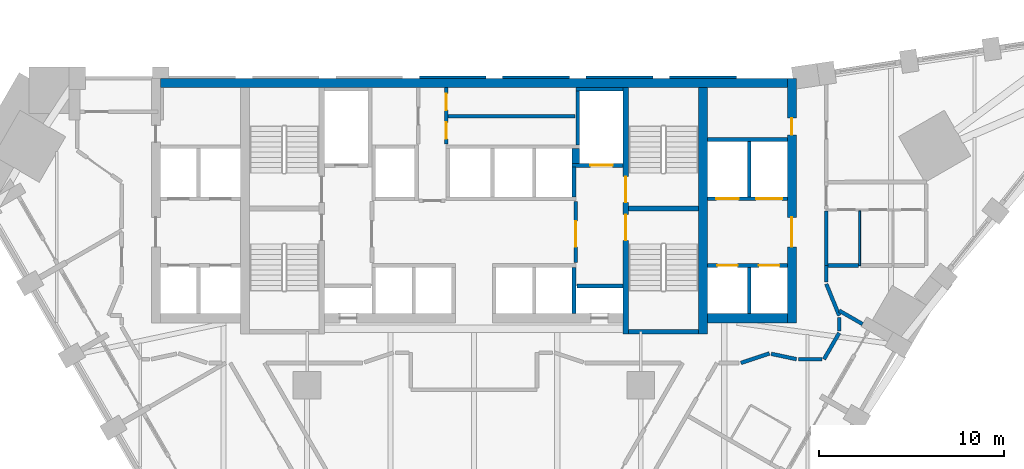
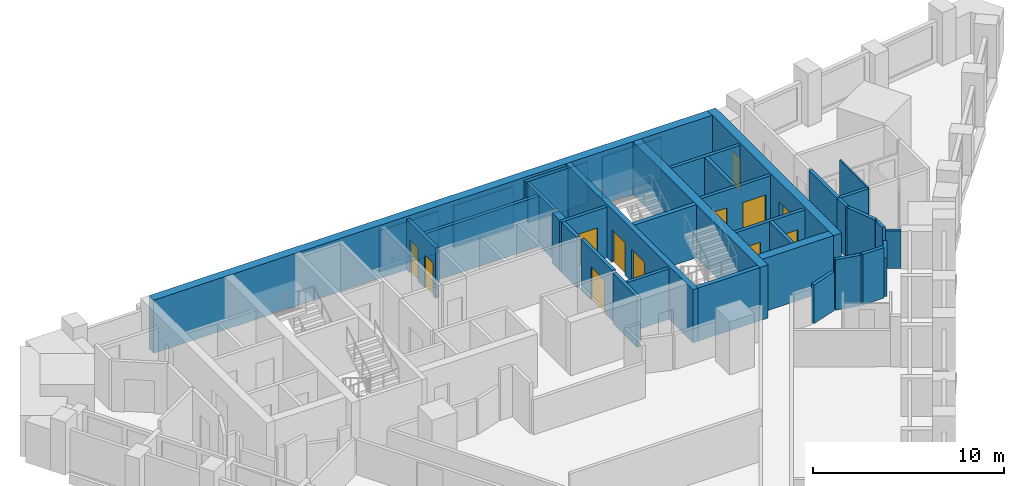
# One storey, part 8 of 11: 37 walls, 12 doors, 12 openings.
"""IFC4 building model written with IfcOpenShell, lengths in metres."""

from ifc_helpers import new_model, si_unit, direction, frame, frame_2d, origin, place, context, subcontext, project, spatial, polyline, rectangle, outline, extrude, material, layer, layer_set, type_object, element, fill, save


model = new_model("IFC4")

# Units and contexts
model_context = context("Model", 3, precision=1e-05, world=origin(), true_north=direction((0.0, 1.0)))
body_context = subcontext(model_context, "Body", "Model", "MODEL_VIEW")
ifc_project = project(units=[si_unit("LENGTHUNIT", "METRE"), si_unit("AREAUNIT", "SQUARE_METRE"), si_unit("VOLUMEUNIT", "CUBIC_METRE"), si_unit("PLANEANGLEUNIT", "RADIAN"), si_unit("MASSUNIT", "GRAM", prefix="KILO")], contexts=[model_context])

# Site, building, storey
site_placement = place(None, origin())
site = spatial("IfcSite", under=ifc_project, at=site_placement, CompositionType="ELEMENT")
building_placement = place(site_placement, origin())
building = spatial("IfcBuilding", under=site, at=building_placement, Name="Calabash Gate Tower", CompositionType="ELEMENT")
storey_placement = place(building_placement, frame((0.0, 0.0, 125.800048828125)))
storey = spatial("IfcBuildingStorey", under=building, at=storey_placement, Name="L29", CompositionType="ELEMENT", Elevation=125.800048828125)

# Walls
ifc_material_1 = material(Name="Concrete C80/95", Category="concrete")
ifc_layer_1 = layer(ifc_material_1, 0.25)
ifc_layer_set_1 = layer_set([ifc_layer_1], Name="Core wall 250 Concrete C80/95")
wall_type_1 = type_object("IfcWallType", Name="Core wall 250 Concrete C80/95", PredefinedType="SHEAR", material=ifc_layer_set_1)
for number, where, z_axis, x_axis, name in (
    (1, (8.35009765625, 12.027587890625, 0.0), (0.0, 0.0, 1.0), (1.0, 0.0, 0.0), "Core wall Z2-MIDE L29"),
    (2, (8.35009765625, 5.377685546875, 0.0), (0.0, 0.0, 1.0), (1.0, 0.0, 0.0), "Core wall Z2-SSE L29"),
):
    element("IfcWall", number, at=place(storey_placement, frame(where, z_axis=z_axis, x_axis=x_axis)), inside=storey, type_object=wall_type_1, Name=name, PredefinedType="SHEAR", context=body_context, shape_type="SweptSolid", body=[
        extrude(rectangle(XDim=3.75, YDim=0.25, at=frame_2d((1.875, 0.0))), origin(), (0.0, 0.0, 1.0), 3.39990234375),
    ])

# Wall, openings, doors
ifc_material_2 = material(Name="Concrete C80/95", Category="concrete")
ifc_layer_2 = layer(ifc_material_2, 0.300048828125)
ifc_layer_set_2 = layer_set([ifc_layer_2], Name="Core wall 300 Concrete C80/95")
wall_type_2 = type_object("IfcWallType", Name="Core wall 300 Concrete C80/95", PredefinedType="SHEAR", material=ifc_layer_set_2)
wall_1_placement = place(storey_placement, frame((8.199951171875, 5.252685546875, 0.0), z_axis=(0.0, 0.0, 1.0), x_axis=(0.0, 1.0, 0.0)))
wall_1 = element("IfcWall", 3, at=wall_1_placement, inside=storey, type_object=wall_type_2, Name="Core wall Z2-PARTE L29", PredefinedType="SHEAR", context=body_context, shape_type="SweptSolid", body=[
    extrude(rectangle(XDim=13.2998046875, YDim=0.300048828125, at=frame_2d((6.64990234375, 0.0))), origin(), (0.0, 0.0, 1.0), 3.39990234375),
])
opening_1_placement = place(wall_1_placement, frame((7.10009765625, 0.0, 0.0)))
opening_1 = element("IfcOpeningElement", 4, at=opening_1_placement, cuts=wall_1, Name="Opening H8-015", PredefinedType="OPENING", context=body_context, shape_type="SweptSolid", body=[
    extrude(rectangle(XDim=1.39990234375, YDim=2.10009765625, at=frame_2d((0.699951171875, 1.050048828125))), frame((0.0, 0.159912109375, 0.0), z_axis=(0.0, -1.0, 0.0), x_axis=(1.0, 0.0, 0.0)), (0.0, 0.0, 1.0), 0.320068359375),
])
opening_2_placement = place(wall_1_placement, frame((5.050048828125, 0.0, 0.0)))
opening_2 = element("IfcOpeningElement", 5, at=opening_2_placement, cuts=wall_1, Name="Opening H8-016", PredefinedType="OPENING", context=body_context, shape_type="SweptSolid", body=[
    extrude(rectangle(XDim=1.39990234375, YDim=2.10009765625, at=frame_2d((0.699951171875, 1.050048828125))), frame((0.0, 0.159912109375, 0.0), z_axis=(0.0, -1.0, 0.0), x_axis=(1.0, 0.0, 0.0)), (0.0, 0.0, 1.0), 0.320068359375),
])
ifc_material_3 = material(Name="Steel fire door set with fire-resisting glazing", Category="steel")
door_type_1 = type_object("IfcDoorType", Name="Fire door D05 1400x2100 FD90", OperationType="NOTDEFINED", PredefinedType="DOOR", material=ifc_material_3)
door_1_placement = place(opening_1_placement, origin())
door_1 = element("IfcDoor", 6, at=door_1_placement, inside=storey, type_object=door_type_1, Name="Exit stair door ST3", OperationType="SINGLE_SWING_RIGHT", OverallHeight=2.10009765625, OverallWidth=1.39990234375, PredefinedType="DOOR", context=body_context, shape_type="SweptSolid", body=[
    extrude(rectangle(XDim=1.39990234375, YDim=2.10009765625, at=frame_2d((0.699951171875, 1.050048828125))), frame((0.0, 0.02490234375, 0.0), z_axis=(0.0, -1.0, 0.0), x_axis=(1.0, 0.0, 0.0)), (0.0, 0.0, 1.0), 0.050048828125),
])
fill(opening_1, door_1)
door_2_placement = place(opening_2_placement, origin())
door_2 = element("IfcDoor", 7, at=door_2_placement, inside=storey, type_object=door_type_1, Name="Exit stair door ST4", OperationType="SINGLE_SWING_LEFT", OverallHeight=2.10009765625, OverallWidth=1.39990234375, PredefinedType="DOOR", context=body_context, shape_type="SweptSolid", body=[
    extrude(rectangle(XDim=1.39990234375, YDim=2.10009765625, at=frame_2d((0.699951171875, 1.050048828125))), frame((0.0, 0.02490234375, 0.0), z_axis=(0.0, -1.0, 0.0), x_axis=(1.0, 0.0, 0.0)), (0.0, 0.0, 1.0), 0.050048828125),
])
fill(opening_2, door_2)

# Walls
ifc_material_4 = material(Name="Concrete C80/95", Category="concrete")
ifc_layer_3 = layer(ifc_material_4, 0.5)
ifc_layer_set_3 = layer_set([ifc_layer_3], Name="Core wall 500 Concrete C80/95")
wall_type_3 = type_object("IfcWallType", Name="Core wall 500 Concrete C80/95", PredefinedType="SHEAR", material=ifc_layer_set_3)
wall_2_placement = place(storey_placement, frame((-16.89990234375, 18.802490234375, 0.0), z_axis=(0.0, 0.0, 1.0), x_axis=(1.0, 0.0, 0.0)))
element("IfcWall", 8, at=wall_2_placement, inside=storey, type_object=wall_type_3, Name="Core wall Z2-N L29", PredefinedType="SHEAR", context=body_context, shape_type="SweptSolid", body=[
    extrude(rectangle(XDim=33.7998046875, YDim=0.5, at=frame_2d((16.89990234375, 0.0))), origin(), (0.0, 0.0, 1.0), 3.39990234375),
])
wall_3_placement = place(storey_placement, frame((12.35009765625, 5.252685546875, 0.0), z_axis=(0.0, 0.0, 1.0), x_axis=(0.0, 1.0, 0.0)))
element("IfcWall", 9, at=wall_3_placement, inside=storey, type_object=wall_type_3, Name="Core wall Z2-COLE L29", PredefinedType="SHEAR", context=body_context, shape_type="SweptSolid", body=[
    extrude(rectangle(XDim=13.2998046875, YDim=0.5, at=frame_2d((6.64990234375, 0.0))), origin(), (0.0, 0.0, 1.0), 3.39990234375),
])
wall_4_placement = place(storey_placement, frame((12.60009765625, 6.1025390625, 0.0), z_axis=(0.0, 0.0, 1.0), x_axis=(1.0, 0.0, 0.0)))
element("IfcWall", 10, at=wall_4_placement, inside=storey, type_object=wall_type_3, Name="Core wall Z2-SE L29", PredefinedType="SHEAR", context=body_context, shape_type="SweptSolid", body=[
    extrude(rectangle(XDim=4.2998046875, YDim=0.5, at=frame_2d((2.14990234375, 0.0))), origin(), (0.0, 0.0, 1.0), 3.39990234375),
])

# Wall, openings, doors
wall_5_placement = place(storey_placement, frame((17.14990234375, 5.8525390625, 0.0), z_axis=(0.0, 0.0, 1.0), x_axis=(0.0, 1.0, 0.0)))
wall_5 = element("IfcWall", 11, at=wall_5_placement, inside=storey, type_object=wall_type_3, Name="Core wall Z2-ENDE L29", PredefinedType="SHEAR", context=body_context, shape_type="SweptSolid", body=[
    extrude(rectangle(XDim=13.199951171875, YDim=0.5, at=frame_2d((6.60009765625, 0.0))), origin(), (0.0, 0.0, 1.0), 3.39990234375),
])
opening_3_placement = place(wall_5_placement, frame((4.10009765625, 0.0, 0.0)))
opening_3 = element("IfcOpeningElement", 12, at=opening_3_placement, cuts=wall_5, Name="Opening H8-002", PredefinedType="OPENING", context=body_context, shape_type="SweptSolid", body=[
    extrude(rectangle(XDim=1.60009765625, YDim=2.10009765625, at=frame_2d((0.800048828125, 1.050048828125))), frame((0.0, 0.260009765625, 0.0), z_axis=(0.0, -1.0, 0.0), x_axis=(1.0, 0.0, 0.0)), (0.0, 0.0, 1.0), 0.52001953125),
])
opening_4_placement = place(wall_5_placement, frame((10.14990234375, 0.0, 0.0)))
opening_4 = element("IfcOpeningElement", 13, at=opening_4_placement, cuts=wall_5, Name="Opening H8-001", PredefinedType="OPENING", context=body_context, shape_type="SweptSolid", body=[
    extrude(rectangle(XDim=0.89990234375, YDim=2.10009765625, at=frame_2d((0.449951171875, 1.050048828125))), frame((0.0, 0.260009765625, 0.0), z_axis=(0.0, -1.0, 0.0), x_axis=(1.0, 0.0, 0.0)), (0.0, 0.0, 1.0), 0.52001953125),
])
ifc_material_5 = material(Name="Steel fire door set with fire-resisting glazing", Category="steel")
door_type_2 = type_object("IfcDoorType", Name="Double fire door D08 1600x2100 FD60", OperationType="DOUBLE_DOOR_SINGLE_SWING", PredefinedType="DOOR", material=ifc_material_5)
door_3_placement = place(opening_3_placement, origin())
door_3 = element("IfcDoor", 14, at=door_3_placement, inside=storey, type_object=door_type_2, Name="Low-rise Lift Lobby E door", OperationType="DOUBLE_DOOR_SINGLE_SWING", OverallHeight=2.10009765625, OverallWidth=1.60009765625, PredefinedType="DOOR", context=body_context, shape_type="SweptSolid", body=[
    extrude(rectangle(XDim=1.60009765625, YDim=2.10009765625, at=frame_2d((0.800048828125, 1.050048828125))), frame((0.0, 0.02490234375, 0.0), z_axis=(0.0, -1.0, 0.0), x_axis=(1.0, 0.0, 0.0)), (0.0, 0.0, 1.0), 0.050048828125),
])
fill(opening_3, door_3)
ifc_material_6 = material(Name="Steel fire door set with fire-resisting glazing", Category="steel")
door_type_3 = type_object("IfcDoorType", Name="Fire door D06 900x2100 FD60", OperationType="NOTDEFINED", PredefinedType="DOOR", material=ifc_material_6)
door_4_placement = place(opening_4_placement, origin())
door_4 = element("IfcDoor", 15, at=door_4_placement, inside=storey, type_object=door_type_3, Name="Luggage Store door", OperationType="SINGLE_SWING_LEFT", OverallHeight=2.10009765625, OverallWidth=0.89990234375, PredefinedType="DOOR", context=body_context, shape_type="SweptSolid", body=[
    extrude(rectangle(XDim=0.89990234375, YDim=2.10009765625, at=frame_2d((0.449951171875, 1.050048828125))), frame((0.0, 0.02490234375, 0.0), z_axis=(0.0, -1.0, 0.0), x_axis=(1.0, 0.0, 0.0)), (0.0, 0.0, 1.0), 0.050048828125),
])
fill(opening_4, door_4)

# Walls
ifc_material_7 = material(Name="Gypsum board on steel studs, mineral wool", Category="steel")
ifc_layer_4 = layer(ifc_material_7, 0.10009765625)
ifc_layer_set_4 = layer_set([ifc_layer_4], Name="Partition 100 gypsum board")
wall_type_4 = type_object("IfcWallType", Name="Partition 100 gypsum board", PredefinedType="PARTITIONING", material=ifc_layer_set_4)
wall_6_placement = place(storey_placement, frame((20.80029296875, 8.952880859375, 0.0), z_axis=(0.0, 0.0, 1.0), x_axis=(0.000579710048, 0.999999831968, 0.0)))
element("IfcWall", 16, at=wall_6_placement, inside=storey, type_object=wall_type_4, Name="Partition", PredefinedType="PARTITIONING", context=body_context, shape_type="SweptSolid", body=[
    extrude(rectangle(XDim=2.947998046875, YDim=0.10009765625, at=frame_2d((1.47412109375, 0.0))), origin(), (0.0, 0.0, 1.0), 3.22998046875),
])
ifc_material_8 = material(Name="Gypsum board on steel studs, mineral wool", Category="steel")
ifc_layer_5 = layer(ifc_material_8, 0.199951171875)
ifc_layer_set_5 = layer_set([ifc_layer_5], Name="Partition 200 gypsum board EI 60")
wall_type_5 = type_object("IfcWallType", Name="Partition 200 gypsum board EI 60", PredefinedType="PARTITIONING", material=ifc_layer_set_5)
wall_7_placement = place(storey_placement, frame((14.400146484375, 3.699462890625, 0.0), z_axis=(0.0, 0.0, 1.0), x_axis=(0.948653110684, 0.316318313712, 0.0)))
element("IfcWall", 17, at=wall_7_placement, inside=storey, type_object=wall_type_5, Name="Partition", PredefinedType="PARTITIONING", context=body_context, shape_type="SweptSolid", body=[
    extrude(rectangle(XDim=1.61767578125, YDim=0.199951171875, at=frame_2d((0.808837890625, 0.0))), origin(), (0.0, 0.0, 1.0), 2.473388671875),
])
wall_8_placement = place(storey_placement, frame((17.5, 3.8994140625, 0.0), z_axis=(0.0, 0.0, 1.0), x_axis=(0.99999998188, 0.000190367406, 0.0)))
element("IfcWall", 18, at=wall_8_placement, inside=storey, type_object=wall_type_5, Name="Partition", PredefinedType="PARTITIONING", context=body_context, shape_type="SweptSolid", body=[
    extrude(rectangle(XDim=1.282470703125, YDim=0.199951171875, at=frame_2d((0.64111328125, 0.0))), origin(), (0.0, 0.0, 1.0), 3.22998046875),
])
wall_9_placement = place(storey_placement, frame((18.88232421875, 3.899658203125, 0.0), z_axis=(0.0, 0.0, 1.0), x_axis=(0.500071224646, 0.865984278311, 0.0)))
element("IfcWall", 19, at=wall_9_placement, inside=storey, type_object=wall_type_5, Name="Partition", PredefinedType="PARTITIONING", context=body_context, shape_type="SweptSolid", body=[
    extrude(rectangle(XDim=1.635986328125, YDim=0.199951171875, at=frame_2d((0.81787109375, 0.0))), origin(), (0.0, 0.0, 1.0), 2.449951171875),
])
wall_10_placement = place(storey_placement, frame((16.03271484375, 4.190185546875, 0.0), z_axis=(0.0, 0.0, 1.0), x_axis=(0.978123323974, -0.208025871224, 0.0)))
element("IfcWall", 20, at=wall_10_placement, inside=storey, type_object=wall_type_5, Name="Partition", PredefinedType="PARTITIONING", context=body_context, shape_type="SweptSolid", body=[
    extrude(rectangle(XDim=1.397705078125, YDim=0.199951171875, at=frame_2d((0.69873046875, 0.0))), origin(), (0.0, 0.0, 1.0), 3.22998046875),
])
wall_11_placement = place(storey_placement, frame((19.700439453125, 5.41650390625, 0.0), z_axis=(0.0, 0.0, 1.0), x_axis=(0.0, 1.0, 0.0)))
element("IfcWall", 21, at=wall_11_placement, inside=storey, type_object=wall_type_5, Name="Partition", PredefinedType="PARTITIONING", context=body_context, shape_type="SweptSolid", body=[
    extrude(rectangle(XDim=0.736083984375, YDim=0.199951171875, at=frame_2d((0.3681640625, 0.0))), origin(), (0.0, 0.0, 1.0), 3.22998046875),
])
wall_12_placement = place(storey_placement, frame((19.00732421875, 7.955322265625, 0.0), z_axis=(0.0, 0.0, 1.0), x_axis=(0.377039539336, -0.926197163555, 0.0)))
element("IfcWall", 22, at=wall_12_placement, inside=storey, type_object=wall_type_5, Name="Partition", PredefinedType="PARTITIONING", context=body_context, shape_type="SweptSolid", body=[
    extrude(rectangle(XDim=1.83837890625, YDim=0.199951171875, at=frame_2d((0.919189453125, 0.0))), origin(), (0.0, 0.0, 1.0), 3.22998046875),
])
wall_13_placement = place(storey_placement, frame((19.69970703125, 6.52001953125, 0.0), z_axis=(0.0, 0.0, 1.0), x_axis=(0.866582796781, -0.499033321856, 0.0)))
element("IfcWall", 23, at=wall_13_placement, inside=storey, type_object=wall_type_5, Name="Partition", PredefinedType="PARTITIONING", context=body_context, shape_type="SweptSolid", body=[
    extrude(rectangle(XDim=1.451904296875, YDim=0.199951171875, at=frame_2d((0.72607421875, 0.0))), origin(), (0.0, 0.0, 1.0), 2.384033203125),
])
wall_14_placement = place(storey_placement, frame((19.000732421875, 8.052734375, 0.0), z_axis=(0.0, 0.0, 1.0), x_axis=(0.001356850854, 0.999999079477, 0.0)))
element("IfcWall", 24, at=wall_14_placement, inside=storey, type_object=wall_type_5, Name="Partition", PredefinedType="PARTITIONING", context=body_context, shape_type="SweptSolid", body=[
    extrude(rectangle(XDim=0.899658203125, YDim=0.199951171875, at=frame_2d((0.44970703125, 0.0))), origin(), (0.0, 0.0, 1.0), 3.22998046875),
])
wall_15_placement = place(storey_placement, frame((19.10009765625, 8.952880859375, 0.0), z_axis=(0.0, 0.0, 1.0), x_axis=(0.999999605873, 0.000887836288, 0.0)))
element("IfcWall", 25, at=wall_15_placement, inside=storey, type_object=wall_type_5, Name="Partition", PredefinedType="PARTITIONING", context=body_context, shape_type="SweptSolid", body=[
    extrude(rectangle(XDim=1.64990234375, YDim=0.199951171875, at=frame_2d((0.824951171875, 0.0))), origin(), (0.0, 0.0, 1.0), 3.22998046875),
])
wall_16_placement = place(storey_placement, frame((19.000244140625, 8.952880859375, 0.0), z_axis=(0.0, 0.0, 1.0), x_axis=(0.000579374179, 0.999999832163, 0.0)))
element("IfcWall", 26, at=wall_16_placement, inside=storey, type_object=wall_type_5, Name="Partition", PredefinedType="PARTITIONING", context=body_context, shape_type="SweptSolid", body=[
    extrude(rectangle(XDim=2.94970703125, YDim=0.199951171875, at=frame_2d((1.474853515625, 0.0))), origin(), (0.0, 0.0, 1.0), 3.22998046875),
])
ifc_material_9 = material(Name="Concrete C40/50", Category="concrete")
ifc_layer_6 = layer(ifc_material_9, 0.199951171875)
ifc_layer_set_6 = layer_set([ifc_layer_6], Name="Shaft wall 200 Concrete C40/50")
wall_type_6 = type_object("IfcWallType", Name="Shaft wall 200 Concrete C40/50", PredefinedType="SOLIDWALL", material=ifc_layer_set_6)
for number, where, z_axis, x_axis, name in (
    (27, (5.39990234375, 6.3525390625, 0.0), (0.0, 0.0, 1.0), (0.0, 1.0, 0.0), "Shaft wall"),
    (28, (14.85009765625, 6.3525390625, 0.0), (0.0, 0.0, 1.0), (0.0, 1.0, 0.0), "Shaft wall"),
    (29, (5.550048828125, 7.8525390625, 0.0), (0.0, 0.0, 1.0), (1.0, 0.0, 0.0), "Shaft wall"),
):
    element("IfcWall", number, at=place(storey_placement, frame(where, z_axis=z_axis, x_axis=x_axis)), inside=storey, type_object=wall_type_6, Name=name, PredefinedType="SOLIDWALL", context=body_context, shape_type="SweptSolid", body=[
        extrude(rectangle(XDim=2.5, YDim=0.199951171875, at=frame_2d((1.25, 0.0))), origin(), (0.0, 0.0, 1.0), 3.22998046875),
    ])

# Wall, openings, doors
wall_17_placement = place(storey_placement, frame((12.60009765625, 8.95263671875, 0.0), z_axis=(0.0, 0.0, 1.0), x_axis=(1.0, 0.0, 0.0)))
wall_17 = element("IfcWall", 30, at=wall_17_placement, inside=storey, type_object=wall_type_6, Name="Shaft wall", PredefinedType="SOLIDWALL", context=body_context, shape_type="SweptSolid", body=[
    extrude(rectangle(XDim=4.2998046875, YDim=0.199951171875, at=frame_2d((2.14990234375, 0.0))), origin(), (0.0, 0.0, 1.0), 3.22998046875),
])
opening_5_placement = place(wall_17_placement, frame((0.52490234375, 0.0, 0.0)))
opening_5 = element("IfcOpeningElement", 31, at=opening_5_placement, cuts=wall_17, Name="Opening LD-LR5", PredefinedType="OPENING", context=body_context, shape_type="SweptSolid", body=[
    extrude(rectangle(XDim=1.10009765625, YDim=2.10009765625, at=frame_2d((0.550048828125, 1.050048828125))), frame((0.0, 0.10986328125, 0.0), z_axis=(0.0, -1.0, 0.0), x_axis=(1.0, 0.0, 0.0)), (0.0, 0.0, 1.0), 0.219970703125),
])
opening_6_placement = place(wall_17_placement, frame((2.77490234375, 0.0, 0.0)))
opening_6 = element("IfcOpeningElement", 32, at=opening_6_placement, cuts=wall_17, Name="Opening LD-LR6", PredefinedType="OPENING", context=body_context, shape_type="SweptSolid", body=[
    extrude(rectangle(XDim=1.10009765625, YDim=2.10009765625, at=frame_2d((0.550048828125, 1.050048828125))), frame((0.0, 0.10986328125, 0.0), z_axis=(0.0, -1.0, 0.0), x_axis=(1.0, 0.0, 0.0)), (0.0, 0.0, 1.0), 0.219970703125),
])
ifc_material_10 = material(Name="Stainless steel sliding door leaves", Category="steel")
door_type_4 = type_object("IfcDoorType", Name="Lift landing door LS1 1100x2100 FD90", OperationType="DOUBLE_DOOR_SLIDING", PredefinedType="DOOR", material=ifc_material_10)
door_5_placement = place(opening_5_placement, origin())
door_5 = element("IfcDoor", 33, at=door_5_placement, inside=storey, type_object=door_type_4, Name="Lift landing door LR5", OperationType="DOUBLE_DOOR_SLIDING", OverallHeight=2.10009765625, OverallWidth=1.10009765625, PredefinedType="DOOR", context=body_context, shape_type="SweptSolid", body=[
    extrude(rectangle(XDim=1.10009765625, YDim=2.10009765625, at=frame_2d((0.550048828125, 1.050048828125))), frame((0.0, 0.02490234375, 0.0), z_axis=(0.0, -1.0, 0.0), x_axis=(1.0, 0.0, 0.0)), (0.0, 0.0, 1.0), 0.050048828125),
])
fill(opening_5, door_5)
door_6_placement = place(opening_6_placement, origin())
door_6 = element("IfcDoor", 34, at=door_6_placement, inside=storey, type_object=door_type_4, Name="Lift landing door LR6", OperationType="DOUBLE_DOOR_SLIDING", OverallHeight=2.10009765625, OverallWidth=1.10009765625, PredefinedType="DOOR", context=body_context, shape_type="SweptSolid", body=[
    extrude(rectangle(XDim=1.10009765625, YDim=2.10009765625, at=frame_2d((0.550048828125, 1.050048828125))), frame((0.0, 0.02490234375, 0.0), z_axis=(0.0, -1.0, 0.0), x_axis=(1.0, 0.0, 0.0)), (0.0, 0.0, 1.0), 0.050048828125),
])
fill(opening_6, door_6)

# Wall, opening, door
wall_18_placement = place(storey_placement, frame((5.5, 9.1025390625, 0.0), z_axis=(0.0, 0.0, 1.0), x_axis=(0.0, 1.0, 0.0)))
wall_18 = element("IfcWall", 35, at=wall_18_placement, inside=storey, type_object=wall_type_6, Name="Shaft wall", PredefinedType="SOLIDWALL", context=body_context, shape_type="SweptSolid", body=[
    extrude(rectangle(XDim=3.300048828125, YDim=0.199951171875, at=frame_2d((1.64990234375, 0.0))), origin(), (0.0, 0.0, 1.0), 3.22998046875),
])
opening_7_placement = place(wall_18_placement, frame((0.85009765625, 0.0, 0.0)))
opening_7 = element("IfcOpeningElement", 36, at=opening_7_placement, cuts=wall_18, Name="Opening H8-006", PredefinedType="OPENING", context=body_context, shape_type="SweptSolid", body=[
    extrude(rectangle(XDim=1.39990234375, YDim=2.10009765625, at=frame_2d((0.699951171875, 1.050048828125))), frame((0.0, 0.10986328125, 0.0), z_axis=(0.0, -1.0, 0.0), x_axis=(1.0, 0.0, 0.0)), (0.0, 0.0, 1.0), 0.219970703125),
])
door_7_placement = place(opening_7_placement, origin())
door_7 = element("IfcDoor", 37, at=door_7_placement, inside=storey, type_object=door_type_1, Name="Firefighting Lobby E door", OperationType="SINGLE_SWING_LEFT", OverallHeight=2.10009765625, OverallWidth=1.39990234375, PredefinedType="DOOR", context=body_context, shape_type="SweptSolid", body=[
    extrude(rectangle(XDim=1.39990234375, YDim=2.10009765625, at=frame_2d((0.699951171875, 1.050048828125))), frame((0.0, 0.02490234375, 0.0), z_axis=(0.0, -1.0, 0.0), x_axis=(1.0, 0.0, 0.0)), (0.0, 0.0, 1.0), 0.050048828125),
])
fill(opening_7, door_7)

# Wall, openings, doors
wall_19_placement = place(storey_placement, frame((12.60009765625, 12.552490234375, 0.0), z_axis=(0.0, 0.0, 1.0), x_axis=(1.0, 0.0, 0.0)))
wall_19 = element("IfcWall", 38, at=wall_19_placement, inside=storey, type_object=wall_type_6, Name="Shaft wall", PredefinedType="SOLIDWALL", context=body_context, shape_type="SweptSolid", body=[
    extrude(rectangle(XDim=4.2998046875, YDim=0.199951171875, at=frame_2d((2.14990234375, 0.0))), origin(), (0.0, 0.0, 1.0), 3.22998046875),
])
opening_8_placement = place(wall_19_placement, frame((0.47509765625, 0.0, 0.0)))
opening_8 = element("IfcOpeningElement", 39, at=opening_8_placement, cuts=wall_19, Name="Opening LD-SL1", PredefinedType="OPENING", context=body_context, shape_type="SweptSolid", body=[
    extrude(rectangle(XDim=1.199951171875, YDim=2.10009765625, at=frame_2d((0.60009765625, 1.050048828125))), frame((0.0, 0.10986328125, 0.0), z_axis=(0.0, -1.0, 0.0), x_axis=(1.0, 0.0, 0.0)), (0.0, 0.0, 1.0), 0.219970703125),
])
opening_9_placement = place(wall_19_placement, frame((2.625, 0.0, 0.0)))
opening_9 = element("IfcOpeningElement", 40, at=opening_9_placement, cuts=wall_19, Name="Opening LD-GL1", PredefinedType="OPENING", context=body_context, shape_type="SweptSolid", body=[
    extrude(rectangle(XDim=1.39990234375, YDim=2.10009765625, at=frame_2d((0.699951171875, 1.050048828125))), frame((0.0, 0.10986328125, 0.0), z_axis=(0.0, -1.0, 0.0), x_axis=(1.0, 0.0, 0.0)), (0.0, 0.0, 1.0), 0.219970703125),
])
ifc_material_11 = material(Name="Stainless steel sliding door leaves", Category="steel")
door_type_5 = type_object("IfcDoorType", Name="Lift landing door LS3 1200x2100 FD90", OperationType="DOUBLE_DOOR_SLIDING", PredefinedType="DOOR", material=ifc_material_11)
door_8_placement = place(opening_8_placement, origin())
door_8 = element("IfcDoor", 41, at=door_8_placement, inside=storey, type_object=door_type_5, Name="Lift landing door SL1", OperationType="DOUBLE_DOOR_SLIDING", OverallHeight=2.10009765625, OverallWidth=1.199951171875, PredefinedType="DOOR", context=body_context, shape_type="SweptSolid", body=[
    extrude(rectangle(XDim=1.199951171875, YDim=2.10009765625, at=frame_2d((0.60009765625, 1.050048828125))), frame((0.0, 0.02490234375, 0.0), z_axis=(0.0, -1.0, 0.0), x_axis=(1.0, 0.0, 0.0)), (0.0, 0.0, 1.0), 0.050048828125),
])
fill(opening_8, door_8)
ifc_material_12 = material(Name="Stainless steel sliding door leaves", Category="steel")
door_type_6 = type_object("IfcDoorType", Name="Lift landing door LS4 1400x2100 FD90", OperationType="DOUBLE_DOOR_SLIDING", PredefinedType="DOOR", material=ifc_material_12)
door_9_placement = place(opening_9_placement, origin())
door_9 = element("IfcDoor", 42, at=door_9_placement, inside=storey, type_object=door_type_6, Name="Lift landing door GL1", OperationType="DOUBLE_DOOR_SLIDING", OverallHeight=2.10009765625, OverallWidth=1.39990234375, PredefinedType="DOOR", context=body_context, shape_type="SweptSolid", body=[
    extrude(rectangle(XDim=1.39990234375, YDim=2.10009765625, at=frame_2d((0.699951171875, 1.050048828125))), frame((0.0, 0.02490234375, 0.0), z_axis=(0.0, -1.0, 0.0), x_axis=(1.0, 0.0, 0.0)), (0.0, 0.0, 1.0), 0.050048828125),
])
fill(opening_9, door_9)

# Walls
wall_20_placement = place(storey_placement, frame((5.39990234375, 12.652587890625, 0.0), z_axis=(0.0, 0.0, 1.0), x_axis=(0.0, 1.0, 0.0)))
element("IfcWall", 43, at=wall_20_placement, inside=storey, type_object=wall_type_6, Name="Shaft wall", PredefinedType="SOLIDWALL", context=body_context, shape_type="SweptSolid", body=[
    extrude(rectangle(XDim=1.60009765625, YDim=0.199951171875, at=frame_2d((0.800048828125, 0.0))), origin(), (0.0, 0.0, 1.0), 3.22998046875),
])
wall_21_placement = place(storey_placement, frame((14.85009765625, 12.652587890625, 0.0), z_axis=(0.0, 0.0, 1.0), x_axis=(0.0, 1.0, 0.0)))
element("IfcWall", 44, at=wall_21_placement, inside=storey, type_object=wall_type_6, Name="Shaft wall", PredefinedType="SOLIDWALL", context=body_context, shape_type="SweptSolid", body=[
    extrude(rectangle(XDim=3.0, YDim=0.199951171875, at=frame_2d((1.5, 0.0))), origin(), (0.0, 0.0, 1.0), 3.22998046875),
])

# Wall, opening, door
wall_22_placement = place(storey_placement, frame((5.300048828125, 14.3525390625, 0.0), z_axis=(0.0, 0.0, 1.0), x_axis=(1.0, 0.0, 0.0)))
wall_22 = element("IfcWall", 45, at=wall_22_placement, inside=storey, type_object=wall_type_6, Name="Shaft wall", PredefinedType="SOLIDWALL", context=body_context, shape_type="SweptSolid", body=[
    extrude(rectangle(XDim=2.75, YDim=0.199951171875, at=frame_2d((1.375, 0.0))), origin(), (0.0, 0.0, 1.0), 3.22998046875),
])
opening_10_placement = place(wall_22_placement, frame((0.97509765625, 0.0, 0.0)))
opening_10 = element("IfcOpeningElement", 46, at=opening_10_placement, cuts=wall_22, Name="Opening LD-FF2", PredefinedType="OPENING", context=body_context, shape_type="SweptSolid", body=[
    extrude(rectangle(XDim=1.199951171875, YDim=2.10009765625, at=frame_2d((0.60009765625, 1.050048828125))), frame((0.0, 0.10986328125, 0.0), z_axis=(0.0, -1.0, 0.0), x_axis=(1.0, 0.0, 0.0)), (0.0, 0.0, 1.0), 0.219970703125),
])
door_10_placement = place(opening_10_placement, origin())
door_10 = element("IfcDoor", 47, at=door_10_placement, inside=storey, type_object=door_type_5, Name="Lift landing door FF2", OperationType="DOUBLE_DOOR_SLIDING", OverallHeight=2.10009765625, OverallWidth=1.199951171875, PredefinedType="DOOR", context=body_context, shape_type="SweptSolid", body=[
    extrude(rectangle(XDim=1.199951171875, YDim=2.10009765625, at=frame_2d((0.60009765625, 1.050048828125))), frame((0.0, 0.02490234375, 0.0), z_axis=(0.0, -1.0, 0.0), x_axis=(1.0, 0.0, 0.0)), (0.0, 0.0, 1.0), 0.050048828125),
])
fill(opening_10, door_10)

# Walls
wall_23_placement = place(storey_placement, frame((5.5, 14.45263671875, 0.0), z_axis=(0.0, 0.0, 1.0), x_axis=(0.0, 1.0, 0.0)))
element("IfcWall", 48, at=wall_23_placement, inside=storey, type_object=wall_type_6, Name="Shaft wall", PredefinedType="SOLIDWALL", context=body_context, shape_type="SweptSolid", body=[
    extrude(rectangle(XDim=0.800048828125, YDim=0.39990234375, at=frame_2d((0.39990234375, 0.0))), origin(), (0.0, 0.0, 1.0), 3.22998046875),
])
wall_24_placement = place(storey_placement, frame((5.60009765625, 15.45263671875, 0.0), z_axis=(0.0, 0.0, 1.0), x_axis=(0.0, 1.0, 0.0)))
element("IfcWall", 49, at=wall_24_placement, inside=storey, type_object=wall_type_6, Name="Shaft wall", PredefinedType="SOLIDWALL", context=body_context, shape_type="SweptSolid", body=[
    extrude(rectangle(XDim=2.89990234375, YDim=0.199951171875, at=frame_2d((1.449951171875, 0.0))), origin(), (0.0, 0.0, 1.0), 3.22998046875),
])

# Wall, openings, doors
wall_25_placement = place(storey_placement, frame((-1.5, 15.502685546875, 0.0), z_axis=(0.0, 0.0, 1.0), x_axis=(0.0, 1.0, 0.0)))
wall_25 = element("IfcWall", 50, at=wall_25_placement, inside=storey, type_object=wall_type_6, Name="Shaft wall", PredefinedType="SOLIDWALL", context=body_context, shape_type="SweptSolid", body=[
    extrude(rectangle(XDim=3.0498046875, YDim=0.199951171875, at=frame_2d((1.52490234375, 0.0))), origin(), (0.0, 0.0, 1.0), 3.22998046875),
])
opening_11_placement = place(wall_25_placement, frame((0.27490234375, 0.0, 0.0)))
opening_11 = element("IfcOpeningElement", 51, at=opening_11_placement, cuts=wall_25, Name="Opening H8-009", PredefinedType="OPENING", context=body_context, shape_type="SweptSolid", body=[
    extrude(rectangle(XDim=0.89990234375, YDim=2.10009765625, at=frame_2d((0.449951171875, 1.050048828125))), frame((0.0, 0.10986328125, 0.0), z_axis=(0.0, -1.0, 0.0), x_axis=(1.0, 0.0, 0.0)), (0.0, 0.0, 1.0), 0.219970703125),
])
opening_12_placement = place(wall_25_placement, frame((1.824951171875, 0.0, 0.0)))
opening_12 = element("IfcOpeningElement", 52, at=opening_12_placement, cuts=wall_25, Name="Opening H8-010", PredefinedType="OPENING", context=body_context, shape_type="SweptSolid", body=[
    extrude(rectangle(XDim=0.89990234375, YDim=2.10009765625, at=frame_2d((0.449951171875, 1.050048828125))), frame((0.0, 0.10986328125, 0.0), z_axis=(0.0, -1.0, 0.0), x_axis=(1.0, 0.0, 0.0)), (0.0, 0.0, 1.0), 0.219970703125),
])
door_11_placement = place(opening_11_placement, origin())
door_11 = element("IfcDoor", 53, at=door_11_placement, inside=storey, type_object=door_type_3, Name="Ice and Vending door", OperationType="SINGLE_SWING_LEFT", OverallHeight=2.10009765625, OverallWidth=0.89990234375, PredefinedType="DOOR", context=body_context, shape_type="SweptSolid", body=[
    extrude(rectangle(XDim=0.89990234375, YDim=2.10009765625, at=frame_2d((0.449951171875, 1.050048828125))), frame((0.0, 0.02490234375, 0.0), z_axis=(0.0, -1.0, 0.0), x_axis=(1.0, 0.0, 0.0)), (0.0, 0.0, 1.0), 0.050048828125),
])
fill(opening_11, door_11)
door_12_placement = place(opening_12_placement, origin())
door_12 = element("IfcDoor", 54, at=door_12_placement, inside=storey, type_object=door_type_3, Name="Cleaner's Store door", OperationType="SINGLE_SWING_LEFT", OverallHeight=2.10009765625, OverallWidth=0.89990234375, PredefinedType="DOOR", context=body_context, shape_type="SweptSolid", body=[
    extrude(rectangle(XDim=0.89990234375, YDim=2.10009765625, at=frame_2d((0.449951171875, 1.050048828125))), frame((0.0, 0.02490234375, 0.0), z_axis=(0.0, -1.0, 0.0), x_axis=(1.0, 0.0, 0.0)), (0.0, 0.0, 1.0), 0.050048828125),
])
fill(opening_12, door_12)

# Walls
wall_26_placement = place(storey_placement, frame((12.60009765625, 15.752685546875, 0.0), z_axis=(0.0, 0.0, 1.0), x_axis=(1.0, 0.0, 0.0)))
element("IfcWall", 55, at=wall_26_placement, inside=storey, type_object=wall_type_6, Name="Shaft wall", PredefinedType="SOLIDWALL", context=body_context, shape_type="SweptSolid", body=[
    extrude(rectangle(XDim=4.2998046875, YDim=0.199951171875, at=frame_2d((2.14990234375, 0.0))), origin(), (0.0, 0.0, 1.0), 3.22998046875),
])
wall_27_placement = place(storey_placement, frame((-1.39990234375, 17.002685546875, 0.0), z_axis=(0.0, 0.0, 1.0), x_axis=(1.0, 0.0, 0.0)))
element("IfcWall", 56, at=wall_27_placement, inside=storey, type_object=wall_type_6, Name="Shaft wall", PredefinedType="SOLIDWALL", context=body_context, shape_type="SweptSolid", body=[
    extrude(rectangle(XDim=6.849853515625, YDim=0.199951171875, at=frame_2d((3.4248046875, 0.0))), origin(), (0.0, 0.0, 1.0), 3.22998046875),
])
wall_28_placement = place(storey_placement, frame((5.5, 18.45263671875, 0.0), z_axis=(0.0, 0.0, 1.0), x_axis=(1.0, 0.0, 0.0)))
element("IfcWall", 57, at=wall_28_placement, inside=storey, type_object=wall_type_6, Name="Shaft wall", PredefinedType="SOLIDWALL", context=body_context, shape_type="SweptSolid", body=[
    extrude(rectangle(XDim=2.550048828125, YDim=0.199951171875, at=frame_2d((1.27490234375, 0.0))), origin(), (0.0, 0.0, 1.0), 3.22998046875),
])
ifc_material_13 = material(Name="Terracotta brick masonry, perforated", Category="masonry")
ifc_layer_7 = layer(ifc_material_13, 0.1201171875)
ifc_layer_set_7 = layer_set([ifc_layer_7], Name="Terracotta jaali cladding B 120")
wall_type_7 = type_object("IfcWallType", Name="Terracotta jaali cladding B 120", PredefinedType="SOLIDWALL", material=ifc_layer_set_7)
wall_29_placement = place(storey_placement, origin())
element("IfcWall", 58, at=wall_29_placement, inside=storey, type_object=wall_type_7, Name="Jaali cladding S08 N6.1", PredefinedType="SOLIDWALL", context=body_context, shape_type="SweptSolid", body=[
    extrude(outline(polyline([(10.552978515625, 19.172607421875), (10.552978515625, 19.052490234375), (14.153076171875, 19.052490234375), (14.153076171875, 19.172607421875), (10.552978515625, 19.172607421875)])), origin(), (0.0, 0.0, 1.0), 2.64990234375),
])
wall_30_placement = place(storey_placement, origin())
element("IfcWall", 59, at=wall_30_placement, inside=storey, type_object=wall_type_7, Name="Jaali cladding S08 N6.3", PredefinedType="SOLIDWALL", context=body_context, shape_type="SweptSolid", body=[
    extrude(outline(polyline([(1.552978515625, 19.172607421875), (1.552978515625, 19.052490234375), (5.153076171875, 19.052490234375), (5.153076171875, 19.172607421875), (1.552978515625, 19.172607421875)])), origin(), (0.0, 0.0, 1.0), 2.64990234375),
])
ifc_material_14 = material(Name="Terracotta louvre blades in an aluminium frame", Category="masonry")
ifc_layer_8 = layer(ifc_material_14, 0.1201171875)
ifc_layer_set_8 = layer_set([ifc_layer_8], Name="Terracotta vent louvre cladding 120")
wall_type_8 = type_object("IfcWallType", Name="Terracotta vent louvre cladding 120", PredefinedType="ELEMENTEDWALL", material=ifc_layer_set_8)
wall_31_placement = place(storey_placement, origin())
element("IfcWall", 60, at=wall_31_placement, inside=storey, type_object=wall_type_8, Name="Vent louvre cladding S08 N6.2", PredefinedType="ELEMENTEDWALL", context=body_context, shape_type="SweptSolid", body=[
    extrude(outline(polyline([(6.052978515625, 19.172607421875), (6.052978515625, 19.052490234375), (9.653076171875, 19.052490234375), (9.653076171875, 19.172607421875), (6.052978515625, 19.172607421875)])), origin(), (0.0, 0.0, 1.0), 2.64990234375),
])
wall_32_placement = place(storey_placement, origin())
element("IfcWall", 61, at=wall_32_placement, inside=storey, type_object=wall_type_8, Name="Vent louvre cladding S08 N6.4", PredefinedType="ELEMENTEDWALL", context=body_context, shape_type="SweptSolid", body=[
    extrude(outline(polyline([(-2.947021484375, 19.172607421875), (-2.947021484375, 19.052490234375), (0.653076171875, 19.052490234375), (0.653076171875, 19.172607421875), (-2.947021484375, 19.172607421875)])), origin(), (0.0, 0.0, 1.0), 2.64990234375),
])

save(model, "model.ifc")
